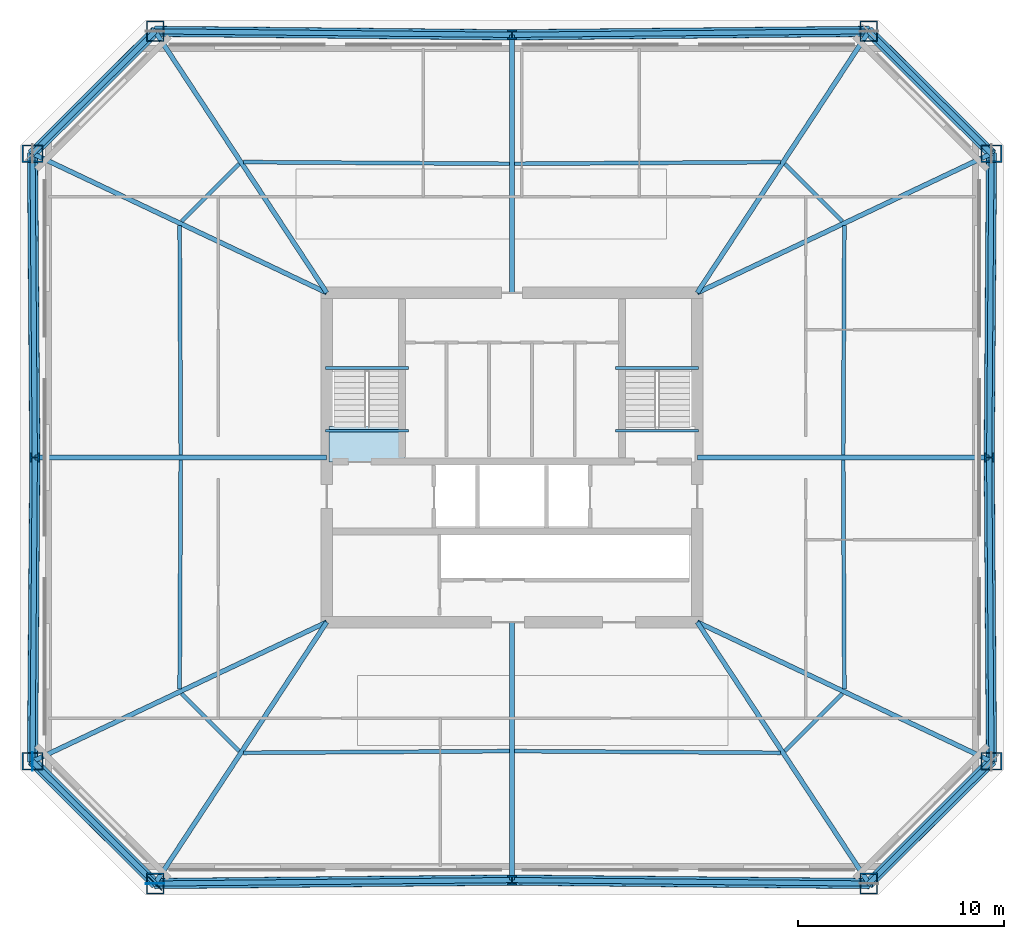
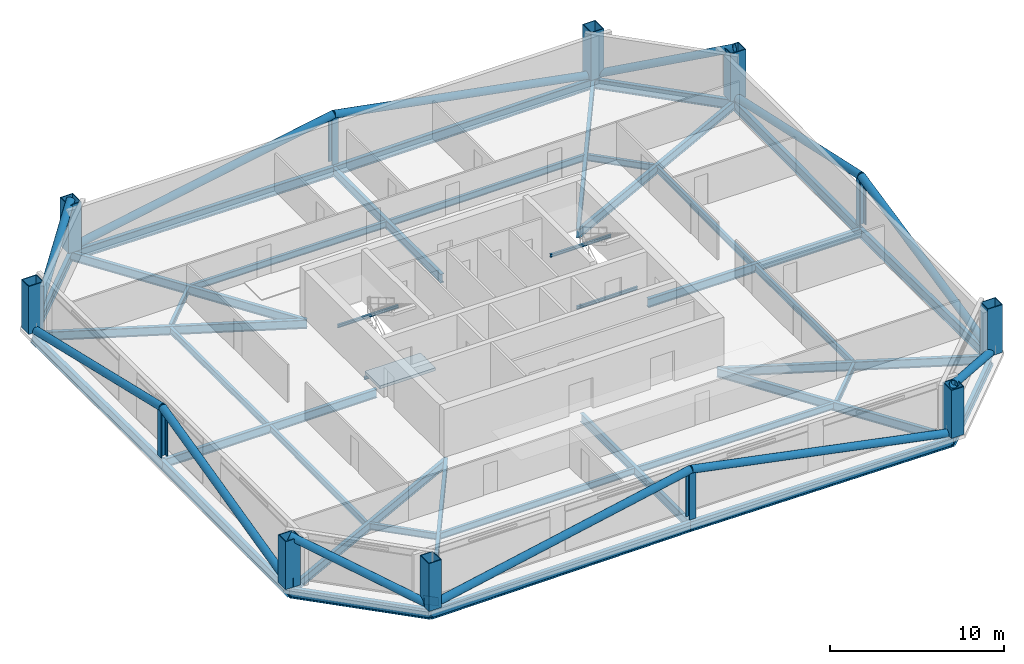
# One storey, part 1 of 6: 40 beams, 12 columns, 12 members, 3 plates, 1 slab, 1 element without a shape of its own.
"""IFC4 building model written with IfcOpenShell, lengths in metres."""

from ifc_helpers import new_model, si_unit, direction, frame, origin, origin_2d, place, context, subcontext, project, spatial, polyline, rectangle, hollow_rectangle, hollow_circle, i_section, outline, extrude, material, layer, layer_set, material_profile, profile_set, type_object, element, aggregate, save


model = new_model("IFC4")

# Units and contexts
model_context = context("Model", 3, precision=1e-05, world=origin(), true_north=direction((0.0, 1.0)))
body_context = subcontext(model_context, "Body", "Model", "MODEL_VIEW")
ifc_project = project(units=[si_unit("LENGTHUNIT", "METRE"), si_unit("AREAUNIT", "SQUARE_METRE"), si_unit("VOLUMEUNIT", "CUBIC_METRE"), si_unit("PLANEANGLEUNIT", "RADIAN"), si_unit("MASSUNIT", "GRAM", prefix="KILO")], contexts=[model_context])

# Site, building, storey
site_placement = place(None, origin())
site = spatial("IfcSite", under=ifc_project, at=site_placement, CompositionType="ELEMENT")
building_placement = place(site_placement, origin())
building = spatial("IfcBuilding", under=site, at=building_placement, Name="Caelvoria Tower", CompositionType="ELEMENT")
storey_placement = place(building_placement, frame((0.0, 0.0, 127.60009765625)))
storey = spatial("IfcBuildingStorey", under=building, at=storey_placement, Name="L33", CompositionType="ELEMENT", Elevation=127.60009765625)

# Columns
ifc_material_1 = material(Name="Structural Steel ASTM A572 Gr.50", Category="steel")
ifc_material_profile_1 = material_profile(ifc_material_1, hollow_rectangle(XDim=0.85009765625, YDim=1.0, WallThickness=0.050048828125, at=origin_2d()), Name="Structural Steel ASTM A572 Gr.50")
ifc_profile_set_1 = profile_set([ifc_material_profile_1], Name="BOX1000X850X50 - Structural Steel ASTM A572 Gr.50")
column_type_1 = type_object("IfcColumnType", Name="Mega Box Column 1000x850x50", PredefinedType="COLUMN", material=ifc_profile_set_1)
for number, where, z_axis, x_axis, name in (
    (1, (28.662353515625, 11.302001953125, 0.0), (0.0, 0.0, 1.0), (1.0, 0.0, 0.0), "Perimeter Megaframe Column L33-P00"),
    (2, (63.337646484375, 11.302001953125, 0.0), (0.0, 0.0, 1.0), (1.0, 0.0, 0.0), "Perimeter Megaframe Column L33-P02"),
    (3, (69.2919921875, 17.235595703125, 0.0), (0.0, 0.0, 1.0), (0.0, 1.0, 0.0), "Perimeter Megaframe Column L33-P03"),
    (4, (69.2919921875, 46.764404296875, 0.0), (0.0, 0.0, 1.0), (0.0, 1.0, 0.0), "Perimeter Megaframe Column L33-P05"),
    (5, (63.337646484375, 52.697998046875, 0.0), (0.0, 0.0, 1.0), (1.0, 0.0, 0.0), "Perimeter Megaframe Column L33-P06"),
    (6, (28.662353515625, 52.697998046875, 0.0), (0.0, 0.0, 1.0), (1.0, 0.0, 0.0), "Perimeter Megaframe Column L33-P08"),
    (7, (22.7080078125, 46.764404296875, 0.0), (0.0, 0.0, 1.0), (0.0, 1.0, 0.0), "Perimeter Megaframe Column L33-P09"),
    (8, (22.7080078125, 17.235595703125, 0.0), (0.0, 0.0, 1.0), (0.0, 1.0, 0.0), "Perimeter Megaframe Column L33-P11"),
):
    element("IfcColumn", number, at=place(storey_placement, frame(where, z_axis=z_axis, x_axis=x_axis)), inside=storey, type_object=column_type_1, Name=name, PredefinedType="COLUMN", context=body_context, shape_type="SweptSolid", body=[
        extrude(hollow_rectangle(XDim=0.85009765625, YDim=1.0, WallThickness=0.050048828125, at=origin_2d()), origin(), (0.0, 0.0, 1.0), 3.35791015625),
    ])
ifc_material_2 = material(Name="Structural Steel ASTM A913 Gr.65", Category="steel")
ifc_material_profile_2 = material_profile(ifc_material_2, i_section(OverallWidth=0.41796875, OverallDepth=0.455078125, WebThickness=0.0419921875, FlangeThickness=0.067626953125, FilletRadius=0.02490234375, at=origin_2d()), Name="Structural Steel ASTM A913 Gr.65")
ifc_profile_set_2 = profile_set([ifc_material_profile_2], Name="W360X551 - Structural Steel ASTM A913 Gr.65")
column_type_2 = type_object("IfcColumnType", Name="Mid Frame Column W360X551", PredefinedType="COLUMN", material=ifc_profile_set_2)
for number, where, z_axis, x_axis, name in (
    (9, (46.0, 11.469970703125, 0.0), (0.0, 0.0, 1.0), (1.0, 0.0, 0.0), "Perimeter Megaframe Column L33-P01"),
    (10, (69.179931640625, 32.0, 0.0), (0.0, 0.0, 1.0), (0.0, 1.0, 0.0), "Perimeter Megaframe Column L33-P04"),
    (11, (46.0, 52.530029296875, 0.0), (0.0, 0.0, 1.0), (1.0, 0.0, 0.0), "Perimeter Megaframe Column L33-P07"),
    (12, (22.820068359375, 32.0, 0.0), (0.0, 0.0, 1.0), (0.0, 1.0, 0.0), "Perimeter Megaframe Column L33-P10"),
):
    element("IfcColumn", number, at=place(storey_placement, frame(where, z_axis=z_axis, x_axis=x_axis)), inside=storey, type_object=column_type_2, Name=name, PredefinedType="COLUMN", context=body_context, shape_type="SweptSolid", body=[
        extrude(i_section(OverallWidth=0.41796875, OverallDepth=0.455078125, WebThickness=0.0419921875, FlangeThickness=0.067626953125, FilletRadius=0.02490234375, at=origin_2d()), origin(), (0.0, 0.0, 1.0), 3.35791015625),
    ])

# Beams
ifc_material_3 = material(Name="Structural Steel ASTM A992 Gr.50", Category="steel")
ifc_material_profile_3 = material_profile(ifc_material_3, i_section(OverallWidth=0.134033203125, OverallDepth=0.2099609375, WebThickness=0.00634765625, FlangeThickness=0.01025390625, FilletRadius=0.010009765625, at=origin_2d()), Name="Structural Steel ASTM A992 Gr.50")
ifc_profile_set_3 = profile_set([ifc_material_profile_3], Name="W200X31.3 - Structural Steel ASTM A992 Gr.50")
beam_type_1 = type_object("IfcBeamType", Name="Canopy Edge Trim Beam W200X31.3", PredefinedType="BEAM", material=ifc_profile_set_3)
for number, where, z_axis, x_axis, name in (
    (13, (36.929931640625, 36.35009765625, 1.494873046875), (1.0, 0.0, 0.0), (0.0, 1.0, 0.0), "ST-01 Half-Landing Support Beam L33"),
    (14, (36.929931640625, 33.300048828125, -0.30517578125), (1.0, 0.0, 0.0), (0.0, 1.0, 0.0), "ST-01 Floor-Landing Support Beam L33"),
    (15, (51.030029296875, 36.35009765625, 1.494873046875), (1.0, 0.0, 0.0), (0.0, 1.0, 0.0), "ST-02 Half-Landing Support Beam L33"),
    (16, (51.030029296875, 33.300048828125, -0.30517578125), (1.0, 0.0, 0.0), (0.0, 1.0, 0.0), "ST-02 Floor-Landing Support Beam L33"),
):
    element("IfcBeam", number, at=place(storey_placement, frame(where, z_axis=z_axis, x_axis=x_axis)), inside=storey, type_object=beam_type_1, Name=name, PredefinedType="BEAM", context=body_context, shape_type="SweptSolid", body=[
        extrude(i_section(OverallWidth=0.134033203125, OverallDepth=0.2099609375, WebThickness=0.00634765625, FlangeThickness=0.01025390625, FilletRadius=0.010009765625, at=origin_2d()), origin(), (0.0, 0.0, 1.0), 4.0400390625),
    ])

# Members
ifc_material_profile_4 = material_profile(ifc_material_1, hollow_circle(Radius=0.25390625, WallThickness=0.02001953125, at=origin_2d()), Name="Structural Steel ASTM A572 Gr.50")
ifc_profile_set_4 = profile_set([ifc_material_profile_4], Name="CHS508X20 - Structural Steel ASTM A572 Gr.50")
member_type = type_object("IfcMemberType", Name="Mid Perimeter Mega Brace CHS508X20", PredefinedType="BRACE", material=ifc_profile_set_4)
for number, where, z_axis, x_axis, name in (
    (17, (69.2919921875, 17.235595703125, 0.0), (-0.657746245174, -0.655453882599, 0.371146985366), (0.705871358344, -0.708340049319, 0.0), "Perimeter Chamfer Mega Brace L33 SE"),
    (18, (63.337646484375, 52.697998046875, 0.0), (0.657746245174, -0.655453882599, 0.371146985366), (0.705871358344, 0.708340049319, 0.0), "Perimeter Chamfer Mega Brace L33 NE"),
    (19, (22.7080078125, 46.764404296875, 0.0), (0.657746245174, 0.655453882599, 0.371146985366), (-0.705871358344, 0.708340049319, 0.0), "Perimeter Chamfer Mega Brace L33 NW"),
    (20, (28.662353515625, 11.302001953125, 0.0), (-0.657746245174, 0.655453882599, 0.371146985366), (-0.705871358344, -0.708340049319, 0.0), "Perimeter Chamfer Mega Brace L33 SW"),
):
    element("IfcMember", number, at=place(storey_placement, frame(where, z_axis=z_axis, x_axis=x_axis)), inside=storey, type_object=member_type, Name=name, PredefinedType="BRACE", context=body_context, shape_type="SweptSolid", body=[
        extrude(hollow_circle(Radius=0.25390625, WallThickness=0.02001953125, at=origin_2d()), origin(), (0.0, 0.0, 1.0), 9.052734375),
    ])
for number, where, z_axis, x_axis, name in (
    (21, (28.662353515625, 11.302001953125, 0.0), (0.981691162059, 0.00951071632, 0.19024197384), (-0.009687639438, 0.99995307372, 0.0), "Perimeter Cardinal Mega Brace L33 SA"),
    (22, (63.337646484375, 11.302001953125, 0.0), (-0.981691162059, 0.00951071632, 0.19024197384), (-0.009687639438, -0.99995307372, 0.0), "Perimeter Cardinal Mega Brace L33 SB"),
):
    element("IfcMember", number, at=place(storey_placement, frame(where, z_axis=z_axis, x_axis=x_axis)), inside=storey, type_object=member_type, Name=name, PredefinedType="BRACE", context=body_context, shape_type="SweptSolid", body=[
        extrude(hollow_circle(Radius=0.25390625, WallThickness=0.02001953125, at=origin_2d()), origin(), (0.0, 0.0, 1.0), 17.660888671875),
    ])
for number, where, z_axis, x_axis, name in (
    (23, (69.2919921875, 17.235595703125, 0.0), (-0.007400503147, 0.975044505093, 0.221886109617), (-0.999971197853, -0.007589694581, 0.0), "Perimeter Cardinal Mega Brace L33 EA"),
    (24, (69.2919921875, 46.764404296875, 0.0), (-0.007400503147, -0.975044505093, 0.221886109617), (0.999971197853, -0.007589694581, 0.0), "Perimeter Cardinal Mega Brace L33 EB"),
):
    element("IfcMember", number, at=place(storey_placement, frame(where, z_axis=z_axis, x_axis=x_axis)), inside=storey, type_object=member_type, Name=name, PredefinedType="BRACE", context=body_context, shape_type="SweptSolid", body=[
        extrude(hollow_circle(Radius=0.25390625, WallThickness=0.02001953125, at=origin_2d()), origin(), (0.0, 0.0, 1.0), 15.142333984375),
    ])
for number, where, z_axis, x_axis, name in (
    (25, (63.337646484375, 52.697998046875, 0.0), (-0.981691162059, -0.00951071632, 0.19024197384), (0.009687639438, -0.99995307372, 0.0), "Perimeter Cardinal Mega Brace L33 NA"),
    (26, (28.662353515625, 52.697998046875, 0.0), (0.981691162059, -0.00951071632, 0.19024197384), (0.009687639438, 0.99995307372, 0.0), "Perimeter Cardinal Mega Brace L33 NB"),
):
    element("IfcMember", number, at=place(storey_placement, frame(where, z_axis=z_axis, x_axis=x_axis)), inside=storey, type_object=member_type, Name=name, PredefinedType="BRACE", context=body_context, shape_type="SweptSolid", body=[
        extrude(hollow_circle(Radius=0.25390625, WallThickness=0.02001953125, at=origin_2d()), origin(), (0.0, 0.0, 1.0), 17.660888671875),
    ])
for number, where, z_axis, x_axis, name in (
    (27, (22.7080078125, 46.764404296875, 0.0), (0.007400503147, -0.975044505093, 0.221886109617), (0.999971197853, 0.007589694581, 0.0), "Perimeter Cardinal Mega Brace L33 WA"),
    (28, (22.7080078125, 17.235595703125, 0.0), (0.007400503147, 0.975044505093, 0.221886109617), (-0.999971197853, 0.007589694581, 0.0), "Perimeter Cardinal Mega Brace L33 WB"),
):
    element("IfcMember", number, at=place(storey_placement, frame(where, z_axis=z_axis, x_axis=x_axis)), inside=storey, type_object=member_type, Name=name, PredefinedType="BRACE", context=body_context, shape_type="SweptSolid", body=[
        extrude(hollow_circle(Radius=0.25390625, WallThickness=0.02001953125, at=origin_2d()), origin(), (0.0, 0.0, 1.0), 15.142333984375),
    ])

# Beams
ifc_material_profile_5 = material_profile(ifc_material_3, i_section(OverallWidth=0.25390625, OverallDepth=0.68798828125, WebThickness=0.01318359375, FlangeThickness=0.02099609375, FilletRadius=0.01904296875, at=origin_2d()), Name="Structural Steel ASTM A992 Gr.50")
ifc_profile_set_5 = profile_set([ifc_material_profile_5], Name="W690X152 - Structural Steel ASTM A992 Gr.50")
beam_type_2 = type_object("IfcBeamType", Name="Perimeter Spandrel Girder W690X152", PredefinedType="BEAM", material=ifc_profile_set_5)
for number, where, z_axis, x_axis, name in (
    (29, (28.662353515625, 11.302001953125, -0.583984375), (0.99995307372, 0.009687639438, 0.0), (-0.009687639438, 0.99995307372, 0.0), "Perimeter Spandrel Girder L33-00"),
    (30, (46.0, 11.469970703125, -0.583984375), (0.99995307372, -0.009687639438, 0.0), (0.009687639438, 0.99995307372, 0.0), "Perimeter Spandrel Girder L33-01"),
):
    element("IfcBeam", number, at=place(storey_placement, frame(where, z_axis=z_axis, x_axis=x_axis)), inside=storey, type_object=beam_type_2, Name=name, PredefinedType="BEAM", context=body_context, shape_type="SweptSolid", body=[
        extrude(i_section(OverallWidth=0.25390625, OverallDepth=0.68798828125, WebThickness=0.01318359375, FlangeThickness=0.02099609375, FilletRadius=0.01904296875, at=origin_2d()), origin(), (0.0, 0.0, 1.0), 17.33837890625),
    ])
beam_1_placement = place(storey_placement, frame((63.337646484375, 11.302001953125, -0.583984375), z_axis=(0.708340049319, 0.705871358344, 0.0), x_axis=(-0.705871358344, 0.708340049319, 0.0)))
element("IfcBeam", 31, at=beam_1_placement, inside=storey, type_object=beam_type_2, Name="Perimeter Spandrel Girder L33-02", PredefinedType="BEAM", context=body_context, shape_type="SweptSolid", body=[
    extrude(i_section(OverallWidth=0.25390625, OverallDepth=0.68798828125, WebThickness=0.01318359375, FlangeThickness=0.02099609375, FilletRadius=0.01904296875, at=origin_2d()), origin(), (0.0, 0.0, 1.0), 8.406005859375),
])
for number, where, z_axis, x_axis, name in (
    (32, (69.2919921875, 17.235595703125, -0.583984375), (-0.007589694581, 0.999971197853, 0.0), (-0.999971197853, -0.007589694581, 0.0), "Perimeter Spandrel Girder L33-03"),
    (33, (69.179931640625, 32.0, -0.583984375), (0.007589694581, 0.999971197853, 0.0), (-0.999971197853, 0.007589694581, 0.0), "Perimeter Spandrel Girder L33-04"),
):
    element("IfcBeam", number, at=place(storey_placement, frame(where, z_axis=z_axis, x_axis=x_axis)), inside=storey, type_object=beam_type_2, Name=name, PredefinedType="BEAM", context=body_context, shape_type="SweptSolid", body=[
        extrude(i_section(OverallWidth=0.25390625, OverallDepth=0.68798828125, WebThickness=0.01318359375, FlangeThickness=0.02099609375, FilletRadius=0.01904296875, at=origin_2d()), origin(), (0.0, 0.0, 1.0), 14.764892578125),
    ])
beam_2_placement = place(storey_placement, frame((69.2919921875, 46.764404296875, -0.583984375), z_axis=(-0.708340049319, 0.705871358344, 0.0), x_axis=(-0.705871358344, -0.708340049319, 0.0)))
element("IfcBeam", 34, at=beam_2_placement, inside=storey, type_object=beam_type_2, Name="Perimeter Spandrel Girder L33-05", PredefinedType="BEAM", context=body_context, shape_type="SweptSolid", body=[
    extrude(i_section(OverallWidth=0.25390625, OverallDepth=0.68798828125, WebThickness=0.01318359375, FlangeThickness=0.02099609375, FilletRadius=0.01904296875, at=origin_2d()), origin(), (0.0, 0.0, 1.0), 8.406005859375),
])
for number, where, z_axis, x_axis, name in (
    (35, (63.337646484375, 52.697998046875, -0.583984375), (-0.99995307372, -0.009687639438, 0.0), (0.009687639438, -0.99995307372, 0.0), "Perimeter Spandrel Girder L33-06"),
    (36, (46.0, 52.530029296875, -0.583984375), (-0.99995307372, 0.009687639438, 0.0), (-0.009687639438, -0.99995307372, 0.0), "Perimeter Spandrel Girder L33-07"),
):
    element("IfcBeam", number, at=place(storey_placement, frame(where, z_axis=z_axis, x_axis=x_axis)), inside=storey, type_object=beam_type_2, Name=name, PredefinedType="BEAM", context=body_context, shape_type="SweptSolid", body=[
        extrude(i_section(OverallWidth=0.25390625, OverallDepth=0.68798828125, WebThickness=0.01318359375, FlangeThickness=0.02099609375, FilletRadius=0.01904296875, at=origin_2d()), origin(), (0.0, 0.0, 1.0), 17.33837890625),
    ])
beam_3_placement = place(storey_placement, frame((28.662353515625, 52.697998046875, -0.583984375), z_axis=(-0.708340049319, -0.705871358344, 0.0), x_axis=(0.705871358344, -0.708340049319, 0.0)))
element("IfcBeam", 37, at=beam_3_placement, inside=storey, type_object=beam_type_2, Name="Perimeter Spandrel Girder L33-08", PredefinedType="BEAM", context=body_context, shape_type="SweptSolid", body=[
    extrude(i_section(OverallWidth=0.25390625, OverallDepth=0.68798828125, WebThickness=0.01318359375, FlangeThickness=0.02099609375, FilletRadius=0.01904296875, at=origin_2d()), origin(), (0.0, 0.0, 1.0), 8.406005859375),
])
for number, where, z_axis, x_axis, name in (
    (38, (22.7080078125, 46.764404296875, -0.583984375), (0.007589694581, -0.999971197853, 0.0), (0.999971197853, 0.007589694581, 0.0), "Perimeter Spandrel Girder L33-09"),
    (39, (22.820068359375, 32.0, -0.583984375), (-0.007589694581, -0.999971197853, 0.0), (0.999971197853, -0.007589694581, 0.0), "Perimeter Spandrel Girder L33-10"),
):
    element("IfcBeam", number, at=place(storey_placement, frame(where, z_axis=z_axis, x_axis=x_axis)), inside=storey, type_object=beam_type_2, Name=name, PredefinedType="BEAM", context=body_context, shape_type="SweptSolid", body=[
        extrude(i_section(OverallWidth=0.25390625, OverallDepth=0.68798828125, WebThickness=0.01318359375, FlangeThickness=0.02099609375, FilletRadius=0.01904296875, at=origin_2d()), origin(), (0.0, 0.0, 1.0), 14.764892578125),
    ])
beam_4_placement = place(storey_placement, frame((22.7080078125, 17.235595703125, -0.583984375), z_axis=(0.708340049319, -0.705871358344, 0.0), x_axis=(0.705871358344, 0.708340049319, 0.0)))
element("IfcBeam", 40, at=beam_4_placement, inside=storey, type_object=beam_type_2, Name="Perimeter Spandrel Girder L33-11", PredefinedType="BEAM", context=body_context, shape_type="SweptSolid", body=[
    extrude(i_section(OverallWidth=0.25390625, OverallDepth=0.68798828125, WebThickness=0.01318359375, FlangeThickness=0.02099609375, FilletRadius=0.01904296875, at=origin_2d()), origin(), (0.0, 0.0, 1.0), 8.406005859375),
])
ifc_material_profile_6 = material_profile(ifc_material_3, i_section(OverallWidth=0.22900390625, OverallDepth=0.612060546875, WebThickness=0.011962890625, FlangeThickness=0.01953125, FilletRadius=0.01806640625, at=origin_2d()), Name="Structural Steel ASTM A992 Gr.50")
ifc_profile_set_6 = profile_set([ifc_material_profile_6], Name="W610X125 - Structural Steel ASTM A992 Gr.50")
beam_type_3 = type_object("IfcBeamType", Name="Primary Radial Floor Girder W610X125", PredefinedType="BEAM", material=ifc_profile_set_6)
beam_5_placement = place(storey_placement, frame((37.0, 24.0, -0.546142578125), z_axis=(-0.548867408658, -0.835909425544, 0.0), x_axis=(0.835909425544, -0.548867408658, 0.0)))
element("IfcBeam", 41, at=beam_5_placement, inside=storey, type_object=beam_type_3, Name="Primary Floor Girder L33-00", PredefinedType="BEAM", context=body_context, shape_type="SweptSolid", body=[
    extrude(i_section(OverallWidth=0.22900390625, OverallDepth=0.612060546875, WebThickness=0.011962890625, FlangeThickness=0.01953125, FilletRadius=0.01806640625, at=origin_2d()), origin(), (0.0, 0.0, 1.0), 15.190673828125),
])
beam_6_placement = place(storey_placement, frame((46.0, 24.0, -0.546142578125), z_axis=(0.0, -1.0, 0.0), x_axis=(1.0, 0.0, 0.0)))
element("IfcBeam", 42, at=beam_6_placement, inside=storey, type_object=beam_type_3, Name="Primary Floor Girder L33-01", PredefinedType="BEAM", context=body_context, shape_type="SweptSolid", body=[
    extrude(i_section(OverallWidth=0.22900390625, OverallDepth=0.612060546875, WebThickness=0.011962890625, FlangeThickness=0.01953125, FilletRadius=0.01806640625, at=origin_2d()), origin(), (0.0, 0.0, 1.0), 12.530029296875),
])
beam_7_placement = place(storey_placement, frame((55.0, 24.0, -0.546142578125), z_axis=(0.548867408658, -0.835909425544, 0.0), x_axis=(0.835909425544, 0.548867408658, 0.0)))
element("IfcBeam", 43, at=beam_7_placement, inside=storey, type_object=beam_type_3, Name="Primary Floor Girder L33-02", PredefinedType="BEAM", context=body_context, shape_type="SweptSolid", body=[
    extrude(i_section(OverallWidth=0.22900390625, OverallDepth=0.612060546875, WebThickness=0.011962890625, FlangeThickness=0.01953125, FilletRadius=0.01806640625, at=origin_2d()), origin(), (0.0, 0.0, 1.0), 15.190673828125),
])
beam_8_placement = place(storey_placement, frame((55.0, 24.0, -0.546142578125), z_axis=(0.903872040763, -0.427802914818, 0.0), x_axis=(0.427802914818, 0.903872040763, 0.0)))
element("IfcBeam", 44, at=beam_8_placement, inside=storey, type_object=beam_type_3, Name="Primary Floor Girder L33-03", PredefinedType="BEAM", context=body_context, shape_type="SweptSolid", body=[
    extrude(i_section(OverallWidth=0.22900390625, OverallDepth=0.612060546875, WebThickness=0.011962890625, FlangeThickness=0.01953125, FilletRadius=0.01806640625, at=origin_2d()), origin(), (0.0, 0.0, 1.0), 15.81201171875),
])
beam_9_placement = place(storey_placement, frame((55.0, 32.0, -0.546142578125), z_axis=(1.0, 0.0, 0.0), x_axis=(0.0, 1.0, 0.0)))
element("IfcBeam", 45, at=beam_9_placement, inside=storey, type_object=beam_type_3, Name="Primary Floor Girder L33-04", PredefinedType="BEAM", context=body_context, shape_type="SweptSolid", body=[
    extrude(i_section(OverallWidth=0.22900390625, OverallDepth=0.612060546875, WebThickness=0.011962890625, FlangeThickness=0.01953125, FilletRadius=0.01806640625, at=origin_2d()), origin(), (0.0, 0.0, 1.0), 14.179931640625),
])
beam_10_placement = place(storey_placement, frame((55.0, 40.0, -0.546142578125), z_axis=(0.903872040763, 0.427802914818, 0.0), x_axis=(-0.427802914818, 0.903872040763, 0.0)))
element("IfcBeam", 46, at=beam_10_placement, inside=storey, type_object=beam_type_3, Name="Primary Floor Girder L33-05", PredefinedType="BEAM", context=body_context, shape_type="SweptSolid", body=[
    extrude(i_section(OverallWidth=0.22900390625, OverallDepth=0.612060546875, WebThickness=0.011962890625, FlangeThickness=0.01953125, FilletRadius=0.01806640625, at=origin_2d()), origin(), (0.0, 0.0, 1.0), 15.81201171875),
])
beam_11_placement = place(storey_placement, frame((55.0, 40.0, -0.546142578125), z_axis=(0.548867408658, 0.835909425544, 0.0), x_axis=(-0.835909425544, 0.548867408658, 0.0)))
element("IfcBeam", 47, at=beam_11_placement, inside=storey, type_object=beam_type_3, Name="Primary Floor Girder L33-06", PredefinedType="BEAM", context=body_context, shape_type="SweptSolid", body=[
    extrude(i_section(OverallWidth=0.22900390625, OverallDepth=0.612060546875, WebThickness=0.011962890625, FlangeThickness=0.01953125, FilletRadius=0.01806640625, at=origin_2d()), origin(), (0.0, 0.0, 1.0), 15.190673828125),
])
beam_12_placement = place(storey_placement, frame((46.0, 40.0, -0.546142578125), z_axis=(0.0, 1.0, 0.0), x_axis=(-1.0, 0.0, 0.0)))
element("IfcBeam", 48, at=beam_12_placement, inside=storey, type_object=beam_type_3, Name="Primary Floor Girder L33-07", PredefinedType="BEAM", context=body_context, shape_type="SweptSolid", body=[
    extrude(i_section(OverallWidth=0.22900390625, OverallDepth=0.612060546875, WebThickness=0.011962890625, FlangeThickness=0.01953125, FilletRadius=0.01806640625, at=origin_2d()), origin(), (0.0, 0.0, 1.0), 12.530029296875),
])
beam_13_placement = place(storey_placement, frame((37.0, 40.0, -0.546142578125), z_axis=(-0.548867408658, 0.835909425544, 0.0), x_axis=(-0.835909425544, -0.548867408658, 0.0)))
element("IfcBeam", 49, at=beam_13_placement, inside=storey, type_object=beam_type_3, Name="Primary Floor Girder L33-08", PredefinedType="BEAM", context=body_context, shape_type="SweptSolid", body=[
    extrude(i_section(OverallWidth=0.22900390625, OverallDepth=0.612060546875, WebThickness=0.011962890625, FlangeThickness=0.01953125, FilletRadius=0.01806640625, at=origin_2d()), origin(), (0.0, 0.0, 1.0), 15.190673828125),
])
beam_14_placement = place(storey_placement, frame((37.0, 40.0, -0.546142578125), z_axis=(-0.903872040763, 0.427802914818, 0.0), x_axis=(-0.427802914818, -0.903872040763, 0.0)))
element("IfcBeam", 50, at=beam_14_placement, inside=storey, type_object=beam_type_3, Name="Primary Floor Girder L33-09", PredefinedType="BEAM", context=body_context, shape_type="SweptSolid", body=[
    extrude(i_section(OverallWidth=0.22900390625, OverallDepth=0.612060546875, WebThickness=0.011962890625, FlangeThickness=0.01953125, FilletRadius=0.01806640625, at=origin_2d()), origin(), (0.0, 0.0, 1.0), 15.81201171875),
])
beam_15_placement = place(storey_placement, frame((37.0, 32.0, -0.546142578125), z_axis=(-1.0, 0.0, 0.0), x_axis=(0.0, -1.0, 0.0)))
element("IfcBeam", 51, at=beam_15_placement, inside=storey, type_object=beam_type_3, Name="Primary Floor Girder L33-10", PredefinedType="BEAM", context=body_context, shape_type="SweptSolid", body=[
    extrude(i_section(OverallWidth=0.22900390625, OverallDepth=0.612060546875, WebThickness=0.011962890625, FlangeThickness=0.01953125, FilletRadius=0.01806640625, at=origin_2d()), origin(), (0.0, 0.0, 1.0), 14.179931640625),
])
beam_16_placement = place(storey_placement, frame((37.0, 24.0, -0.546142578125), z_axis=(-0.903872040763, -0.427802914818, 0.0), x_axis=(0.427802914818, -0.903872040763, 0.0)))
element("IfcBeam", 52, at=beam_16_placement, inside=storey, type_object=beam_type_3, Name="Primary Floor Girder L33-11", PredefinedType="BEAM", context=body_context, shape_type="SweptSolid", body=[
    extrude(i_section(OverallWidth=0.22900390625, OverallDepth=0.612060546875, WebThickness=0.011962890625, FlangeThickness=0.01953125, FilletRadius=0.01806640625, at=origin_2d()), origin(), (0.0, 0.0, 1.0), 15.81201171875),
])
ifc_material_profile_7 = material_profile(ifc_material_3, i_section(OverallWidth=0.18994140625, OverallDepth=0.45703125, WebThickness=0.009033203125, FlangeThickness=0.014404296875, FilletRadius=0.014892578125, at=origin_2d()), Name="Structural Steel ASTM A992 Gr.50")
ifc_profile_set_7 = profile_set([ifc_material_profile_7], Name="W460X74 - Structural Steel ASTM A992 Gr.50")
beam_type_4 = type_object("IfcBeamType", Name="Secondary Floor Beam W460X74", PredefinedType="BEAM", material=ifc_profile_set_7)
for number, where, z_axis, x_axis, name in (
    (53, (32.956298828125, 17.65185546875, -0.468505859375), (0.999979720418, 0.006368575371, 0.0), (-0.006368575371, 0.999979720418, 0.0), "Secondary Floor Beam L33-00"),
    (54, (46.125, 17.734130859375, -0.468505859375), (0.999979720418, -0.006368575371, 0.0), (0.006368575371, 0.999979720418, 0.0), "Secondary Floor Beam L33-01"),
):
    element("IfcBeam", number, at=place(storey_placement, frame(where, z_axis=z_axis, x_axis=x_axis)), inside=storey, type_object=beam_type_4, Name=name, PredefinedType="BEAM", context=body_context, shape_type="SweptSolid", body=[
        extrude(i_section(OverallWidth=0.18994140625, OverallDepth=0.45703125, WebThickness=0.009033203125, FlangeThickness=0.014404296875, FilletRadius=0.014892578125, at=origin_2d()), origin(), (0.0, 0.0, 1.0), 12.9189453125),
    ])
beam_17_placement = place(storey_placement, frame((59.25732421875, 17.7392578125, -0.468505859375), z_axis=(0.708340929303, 0.705870475282, 0.0), x_axis=(-0.705870475282, 0.708340929303, 0.0)))
element("IfcBeam", 55, at=beam_17_placement, inside=storey, type_object=beam_type_4, Name="Secondary Floor Beam L33-02", PredefinedType="BEAM", context=body_context, shape_type="SweptSolid", body=[
    extrude(i_section(OverallWidth=0.18994140625, OverallDepth=0.45703125, WebThickness=0.009033203125, FlangeThickness=0.014404296875, FilletRadius=0.014892578125, at=origin_2d()), origin(), (0.0, 0.0, 1.0), 3.952880859375),
])
for number, where, z_axis, x_axis, name in (
    (56, (62.145263671875, 20.742919921875, -0.468505859375), (-0.004912544621, 0.99998793338, 0.0), (-0.99998793338, -0.004912544621, 0.0), "Secondary Floor Beam L33-03"),
    (57, (62.090576171875, 32.125, -0.468505859375), (0.004912544621, 0.99998793338, 0.0), (-0.99998793338, 0.004912544621, 0.0), "Secondary Floor Beam L33-04"),
):
    element("IfcBeam", number, at=place(storey_placement, frame(where, z_axis=z_axis, x_axis=x_axis)), inside=storey, type_object=beam_type_4, Name=name, PredefinedType="BEAM", context=body_context, shape_type="SweptSolid", body=[
        extrude(i_section(OverallWidth=0.18994140625, OverallDepth=0.45703125, WebThickness=0.009033203125, FlangeThickness=0.014404296875, FilletRadius=0.014892578125, at=origin_2d()), origin(), (0.0, 0.0, 1.0), 11.13232421875),
    ])
beam_18_placement = place(storey_placement, frame((62.057373046875, 43.470458984375, -0.468505859375), z_axis=(-0.708340929303, 0.705870475282, 0.0), x_axis=(-0.705870475282, -0.708340929303, 0.0)))
element("IfcBeam", 58, at=beam_18_placement, inside=storey, type_object=beam_type_4, Name="Secondary Floor Beam L33-05", PredefinedType="BEAM", context=body_context, shape_type="SweptSolid", body=[
    extrude(i_section(OverallWidth=0.18994140625, OverallDepth=0.45703125, WebThickness=0.009033203125, FlangeThickness=0.014404296875, FilletRadius=0.014892578125, at=origin_2d()), origin(), (0.0, 0.0, 1.0), 3.952880859375),
])
for number, where, z_axis, x_axis, name in (
    (59, (59.043701171875, 46.34814453125, -0.468505859375), (-0.999979720418, -0.006368575371, 0.0), (0.006368575371, -0.999979720418, 0.0), "Secondary Floor Beam L33-06"),
    (60, (45.875, 46.265869140625, -0.468505859375), (-0.999979720418, 0.006368575371, 0.0), (-0.006368575371, -0.999979720418, 0.0), "Secondary Floor Beam L33-07"),
):
    element("IfcBeam", number, at=place(storey_placement, frame(where, z_axis=z_axis, x_axis=x_axis)), inside=storey, type_object=beam_type_4, Name=name, PredefinedType="BEAM", context=body_context, shape_type="SweptSolid", body=[
        extrude(i_section(OverallWidth=0.18994140625, OverallDepth=0.45703125, WebThickness=0.009033203125, FlangeThickness=0.014404296875, FilletRadius=0.014892578125, at=origin_2d()), origin(), (0.0, 0.0, 1.0), 12.9189453125),
    ])
beam_19_placement = place(storey_placement, frame((32.74267578125, 46.2607421875, -0.468505859375), z_axis=(-0.708340929303, -0.705870475282, 0.0), x_axis=(0.705870475282, -0.708340929303, 0.0)))
element("IfcBeam", 61, at=beam_19_placement, inside=storey, type_object=beam_type_4, Name="Secondary Floor Beam L33-08", PredefinedType="BEAM", context=body_context, shape_type="SweptSolid", body=[
    extrude(i_section(OverallWidth=0.18994140625, OverallDepth=0.45703125, WebThickness=0.009033203125, FlangeThickness=0.014404296875, FilletRadius=0.014892578125, at=origin_2d()), origin(), (0.0, 0.0, 1.0), 3.952880859375),
])
for number, where, z_axis, x_axis, name in (
    (62, (29.854736328125, 43.257080078125, -0.468505859375), (0.004912544621, -0.99998793338, 0.0), (0.99998793338, 0.004912544621, 0.0), "Secondary Floor Beam L33-09"),
    (63, (29.909423828125, 31.875, -0.468505859375), (-0.004912544621, -0.99998793338, 0.0), (0.99998793338, -0.004912544621, 0.0), "Secondary Floor Beam L33-10"),
):
    element("IfcBeam", number, at=place(storey_placement, frame(where, z_axis=z_axis, x_axis=x_axis)), inside=storey, type_object=beam_type_4, Name=name, PredefinedType="BEAM", context=body_context, shape_type="SweptSolid", body=[
        extrude(i_section(OverallWidth=0.18994140625, OverallDepth=0.45703125, WebThickness=0.009033203125, FlangeThickness=0.014404296875, FilletRadius=0.014892578125, at=origin_2d()), origin(), (0.0, 0.0, 1.0), 11.13232421875),
    ])
beam_20_placement = place(storey_placement, frame((29.942626953125, 20.529541015625, -0.468505859375), z_axis=(0.708340929303, -0.705870475282, 0.0), x_axis=(0.705870475282, 0.708340929303, 0.0)))
element("IfcBeam", 64, at=beam_20_placement, inside=storey, type_object=beam_type_4, Name="Secondary Floor Beam L33-11", PredefinedType="BEAM", context=body_context, shape_type="SweptSolid", body=[
    extrude(i_section(OverallWidth=0.18994140625, OverallDepth=0.45703125, WebThickness=0.009033203125, FlangeThickness=0.014404296875, FilletRadius=0.014892578125, at=origin_2d()), origin(), (0.0, 0.0, 1.0), 3.952880859375),
])

# Plates
ifc_layer_1 = layer(ifc_material_1, 0.0400390625, Name="Structural Steel ASTM A572 Gr.50")
ifc_layer_set_1 = layer_set([ifc_layer_1], Name="Megaframe Node Gusset Plate 900x600x40 - Structural Steel ASTM A572 Gr.50")
plate_type = type_object("IfcPlateType", Name="Megaframe Node Gusset Plate 900x600x40", PredefinedType="USERDEFINED", material=ifc_layer_set_1)
for number, where, z_axis, x_axis, name in (
    (65, (28.662353515625, 11.302001953125, 0.019775390625), (0.0, 0.0, 1.0), (-0.708331213824, 0.70588022463, 0.0), "Chamfer Mega Brace Gusset L33 SW"),
    (66, (28.662353515625, 11.302001953125, 0.0498046875), (0.0, 0.0, 1.0), (0.999953000908, 0.009695152104, 0.0), "Megaframe Node Gusset Plate ND-04"),
    (67, (22.7080078125, 17.235595703125, 0.0498046875), (0.0, 0.0, 1.0), (0.007578147077, 0.999971285431, 0.0), "Megaframe Node Gusset Plate ND-04"),
):
    element("IfcPlate", number, at=place(storey_placement, frame(where, z_axis=z_axis, x_axis=x_axis)), inside=storey, type_object=plate_type, Name=name, ObjectType="GUSSET_PLATE", PredefinedType="USERDEFINED", context=body_context, shape_type="SweptSolid", body=[
        extrude(rectangle(XDim=0.89990234375, YDim=0.0400390625, at=origin_2d()), origin(), (0.0, 0.0, 1.0), 0.60009765625),
    ])

# Stair, slab
ifc_material_4 = material(Name="Concrete C40/50", Category="concrete")
stair_type = type_object("IfcStairType", Name="Core Smokeproof Dogleg Stair Concrete C40/50", PredefinedType="HALF_TURN_STAIR", material=ifc_material_4)
stair_placement = place(storey_placement, origin())
stair = element("IfcStair", 68, at=stair_placement, inside=storey, type_object=stair_type, Name="ST-01 Smokeproof Exit Stair L33", PredefinedType="HALF_TURN_STAIR")
ifc_layer_2 = layer(ifc_material_4, 0.199951171875, Name="Concrete C40/50")
ifc_layer_set_2 = layer_set([ifc_layer_2], Name="Stair Half and Floor Landing Slab 200 Concrete C40/50 - Concrete C40/50")
slab_type = type_object("IfcSlabType", Name="Stair Half and Floor Landing Slab 200 Concrete C40/50", PredefinedType="LANDING", material=ifc_layer_set_2)
slab_placement = place(storey_placement, frame((0.0, 0.0, -0.2001953125)))
slab = element("IfcSlab", 69, at=slab_placement, type_object=slab_type, Name="ST-01 landing 1", PredefinedType="LANDING", context=body_context, shape_type="SweptSolid", body=[
    extrude(outline(polyline([(37.10009765625, 31.77001953125), (40.800048828125, 31.77001953125), (40.800048828125, 33.5), (37.10009765625, 33.5), (37.10009765625, 31.77001953125)])), origin(), (0.0, 0.0, 1.0), 0.2001953125),
])
aggregate(stair, [slab])

save(model, "model.ifc")
